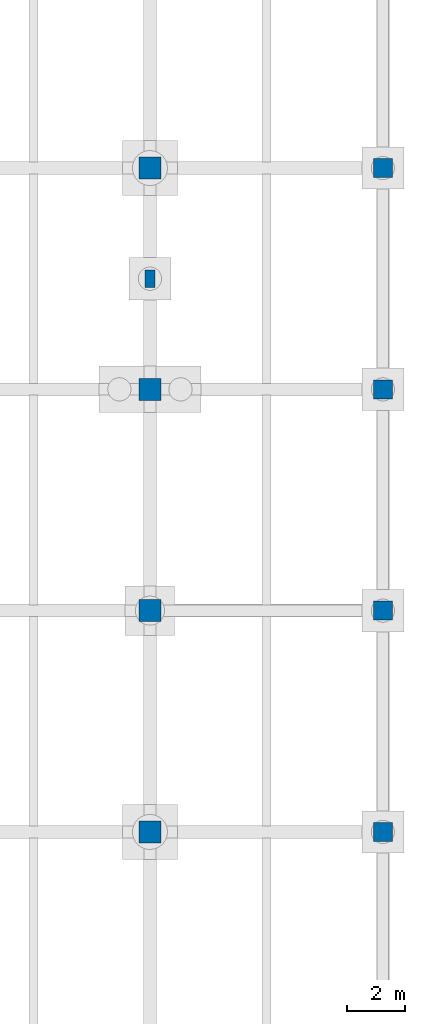
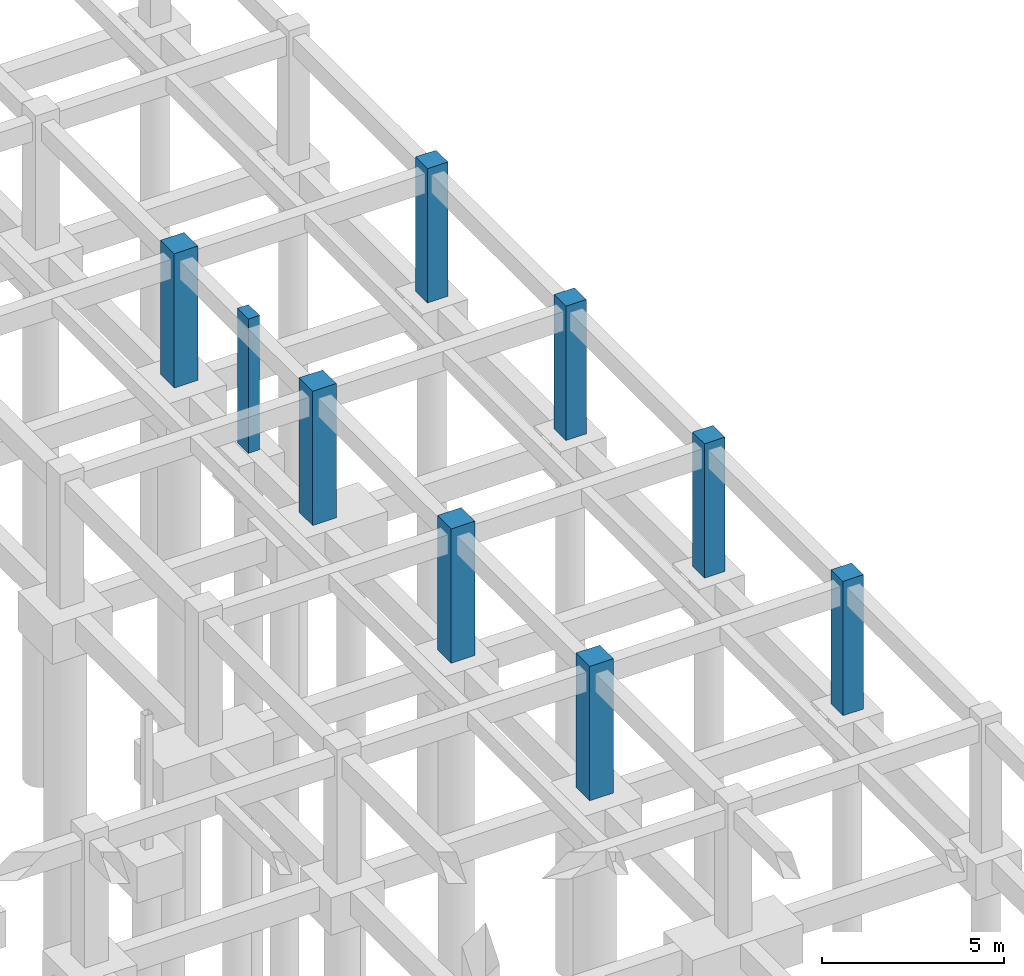
# One storey, part 24 of 49: 9 columns.
"""IFC4 building model written with IfcOpenShell, lengths in metres."""

from ifc_helpers import new_model, si_unit, direction, frame, origin, origin_2d, place, context, subcontext, project, spatial, rectangle, extrude, material, material_profile, profile_set, type_object, element, save


model = new_model("IFC4")

# Units and contexts
model_context = context("Model", 3, precision=1e-05, world=origin(), true_north=direction((0.0, 1.0)))
body_context = subcontext(model_context, "Body", "Model", "MODEL_VIEW")
ifc_project = project(units=[si_unit("LENGTHUNIT", "METRE"), si_unit("AREAUNIT", "SQUARE_METRE"), si_unit("VOLUMEUNIT", "CUBIC_METRE"), si_unit("PLANEANGLEUNIT", "RADIAN"), si_unit("MASSUNIT", "GRAM", prefix="KILO")], contexts=[model_context])

# Site, building, storey
site_placement = place(None, origin())
site = spatial("IfcSite", under=ifc_project, at=site_placement, CompositionType="ELEMENT")
building_placement = place(site_placement, origin())
building = spatial("IfcBuilding", under=site, at=building_placement, Name="Zantavel Square City Hall", CompositionType="ELEMENT")
storey_placement = place(building_placement, frame((0.0, 0.0, -4.5)))
storey = spatial("IfcBuildingStorey", under=building, at=storey_placement, Name="B1", CompositionType="ELEMENT", Elevation=-4.5)

# Columns
ifc_material = material(Name="Concrete C40/50", Category="concrete")
ifc_material_profile_1 = material_profile(ifc_material, rectangle(XDim=0.60009765625, YDim=0.35009765625, at=origin_2d()), Name="RC 600x350")
ifc_profile_set_1 = profile_set([ifc_material_profile_1], Name="Concrete C40/50")
column_type_1 = type_object("IfcColumnType", Name="Colossal Facade Pilaster 600x350 C40/50", PredefinedType="PILASTER", material=ifc_profile_set_1)
column_placement = place(storey_placement, frame((160.0, 57.0, 0.0), z_axis=(0.0, 0.0, 1.0), x_axis=(0.0, 1.0, 0.0)))
element("IfcColumn", 1, at=column_placement, inside=storey, type_object=column_type_1, Name="B1 Facade Pilaster PIL-B1-1600-0570", PredefinedType="PILASTER", context=body_context, shape_type="SweptSolid", body=[
    extrude(rectangle(XDim=0.60009765625, YDim=0.35009765625, at=origin_2d()), origin(), (0.0, 0.0, 1.0), 4.5),
])
ifc_material_profile_2 = material_profile(ifc_material, rectangle(XDim=0.64990234375, YDim=0.64990234375, at=origin_2d()), Name="RC 650x650")
ifc_profile_set_2 = profile_set([ifc_material_profile_2], Name="Concrete C40/50")
column_type_2 = type_object("IfcColumnType", Name="Column RC 650x650 C40/50", PredefinedType="COLUMN", material=ifc_profile_set_2)
for number, where, z_axis, x_axis, name in (
    (2, (168.0, 38.0, 0.0), (0.0, 0.0, 1.0), (1.0, 0.0, 0.0), "B1 Column COL-B1-1680-0380"),
    (3, (168.0, 45.60009765625, 0.0), (0.0, 0.0, 1.0), (1.0, 0.0, 0.0), "B1 Column COL-B1-1680-0456"),
    (4, (168.0, 53.199951171875, 0.0), (0.0, 0.0, 1.0), (1.0, 0.0, 0.0), "B1 Column COL-B1-1680-0532"),
    (5, (168.0, 60.800048828125, 0.0), (0.0, 0.0, 1.0), (1.0, 0.0, 0.0), "B1 Column COL-B1-1680-0608"),
):
    element("IfcColumn", number, at=place(storey_placement, frame(where, z_axis=z_axis, x_axis=x_axis)), inside=storey, type_object=column_type_2, Name=name, PredefinedType="COLUMN", context=body_context, shape_type="SweptSolid", body=[
        extrude(rectangle(XDim=0.64990234375, YDim=0.64990234375, at=origin_2d()), origin(), (0.0, 0.0, 1.0), 4.5),
    ])
ifc_material_profile_3 = material_profile(ifc_material, rectangle(XDim=0.75, YDim=0.75, at=origin_2d()), Name="RC 750x750")
ifc_profile_set_3 = profile_set([ifc_material_profile_3], Name="Concrete C40/50")
column_type_3 = type_object("IfcColumnType", Name="Column RC 750x750 C40/50", PredefinedType="COLUMN", material=ifc_profile_set_3)
for number, where, z_axis, x_axis, name in (
    (6, (160.0, 38.0, 0.0), (0.0, 0.0, 1.0), (1.0, 0.0, 0.0), "B1 Column COL-B1-1600-0380"),
    (7, (160.0, 45.60009765625, 0.0), (0.0, 0.0, 1.0), (1.0, 0.0, 0.0), "B1 Column COL-B1-1600-0456"),
    (8, (160.0, 53.199951171875, 0.0), (0.0, 0.0, 1.0), (1.0, 0.0, 0.0), "B1 Column COL-B1-1600-0532"),
    (9, (160.0, 60.800048828125, 0.0), (0.0, 0.0, 1.0), (1.0, 0.0, 0.0), "B1 Column COL-B1-1600-0608"),
):
    element("IfcColumn", number, at=place(storey_placement, frame(where, z_axis=z_axis, x_axis=x_axis)), inside=storey, type_object=column_type_3, Name=name, PredefinedType="COLUMN", context=body_context, shape_type="SweptSolid", body=[
        extrude(rectangle(XDim=0.75, YDim=0.75, at=origin_2d()), origin(), (0.0, 0.0, 1.0), 4.5),
    ])

save(model, "model.ifc")
